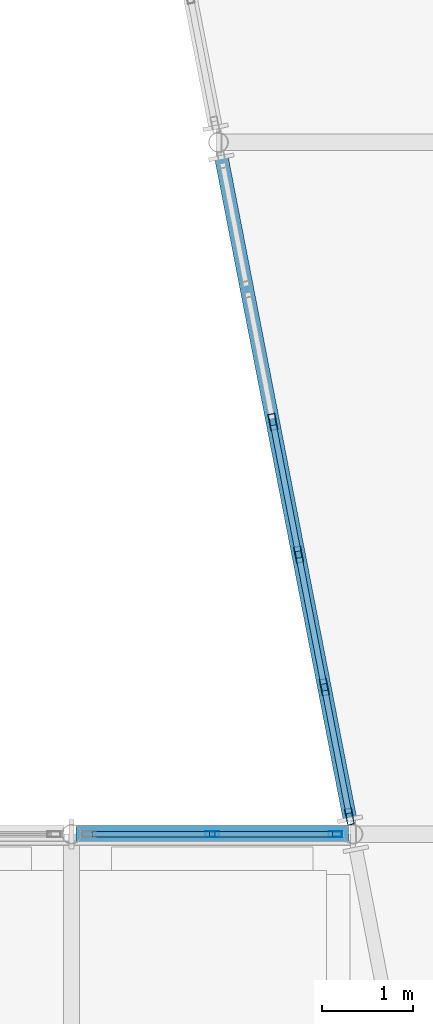
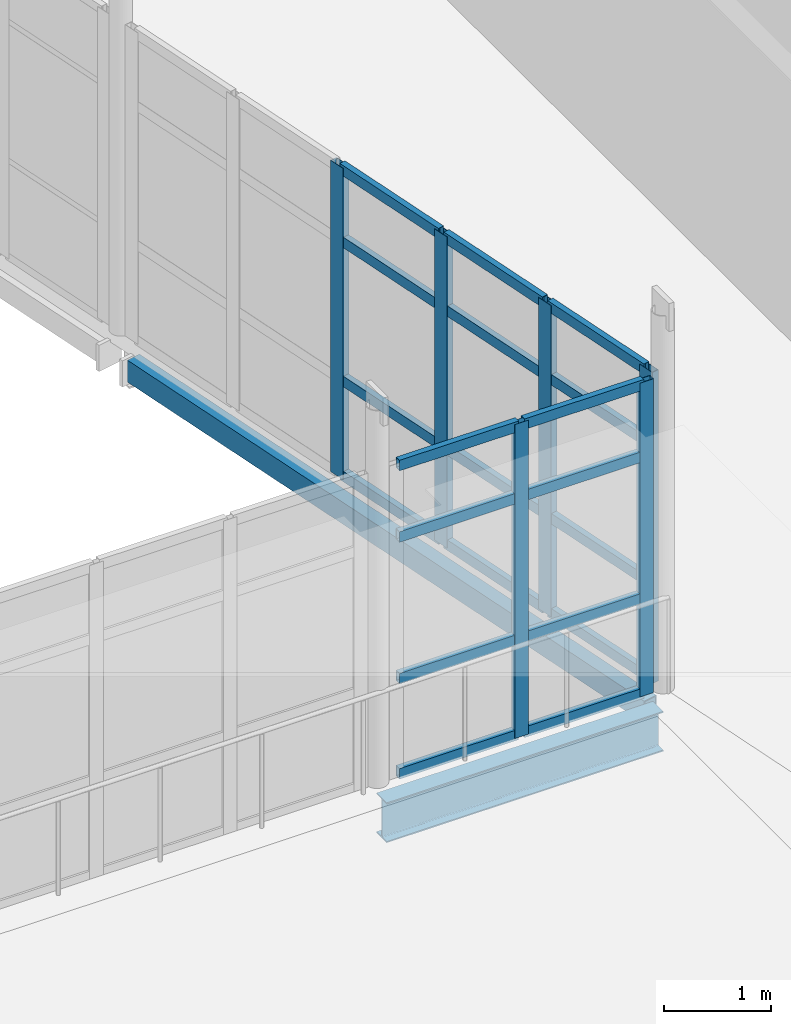
# One storey, part 92 of 166: 26 members, 2 beams, 2 elements without a shape of their own.
"""IFC4 building model written with IfcOpenShell, lengths in metres."""

from ifc_helpers import new_model, si_unit, direction, frame, origin, origin_2d, place, context, subcontext, project, spatial, hollow_rectangle, i_section, extrude, material, material_profile, profile_set, type_object, element, aggregate, save


model = new_model("IFC4")

# Units and contexts
model_context = context("Model", 3, precision=1e-05, world=origin(), true_north=direction((0.0, 1.0)))
body_context = subcontext(model_context, "Body", "Model", "MODEL_VIEW")
ifc_project = project(units=[si_unit("LENGTHUNIT", "METRE"), si_unit("AREAUNIT", "SQUARE_METRE"), si_unit("VOLUMEUNIT", "CUBIC_METRE"), si_unit("PLANEANGLEUNIT", "RADIAN"), si_unit("MASSUNIT", "GRAM", prefix="KILO")], contexts=[model_context])

# Site, building, storey
site_placement = place(None, origin())
site = spatial("IfcSite", under=ifc_project, at=site_placement, CompositionType="ELEMENT")
building_placement = place(site_placement, origin())
building = spatial("IfcBuilding", under=site, at=building_placement, Name="Caisbarro Railhouse Central Library", CompositionType="ELEMENT")
storey_placement = place(building_placement, frame((0.0, 0.0, 9.360107421875)))
storey = spatial("IfcBuildingStorey", under=building, at=storey_placement, Name="L02", CompositionType="ELEMENT", Elevation=9.360107421875)

# Beams
ifc_material_1 = material(Name="Steel ASTM A572 Grade 50", Category="steel")
ifc_material_profile_1 = material_profile(ifc_material_1, i_section(OverallWidth=0.18994140625, OverallDepth=0.45703125, WebThickness=0.009033203125, FlangeThickness=0.014404296875, FilletRadius=0.01806640625, at=origin_2d()), Name="W460X74.0")
ifc_profile_set_1 = profile_set([ifc_material_profile_1], Name="Steel ASTM A572 Grade 50")
beam_type_1 = type_object("IfcBeamType", Name="BM-G08", PredefinedType="BEAM", material=ifc_profile_set_1)
beam_1_placement = place(storey_placement, frame((108.050048828125, 91.199951171875, -0.4287109375), z_axis=(1.0, 0.0, 0.0), x_axis=(0.0, 1.0, 0.0)))
element("IfcBeam", 1, at=beam_1_placement, inside=storey, type_object=beam_type_1, Name="G08 beam L02 #1754", PredefinedType="BEAM", context=body_context, shape_type="SweptSolid", body=[
    extrude(i_section(OverallWidth=0.18994140625, OverallDepth=0.45703125, WebThickness=0.009033203125, FlangeThickness=0.014404296875, FilletRadius=0.01806640625, at=origin_2d()), origin(), (0.0, 0.0, 1.0), 2.990966796875),
])
ifc_material_profile_2 = material_profile(ifc_material_1, hollow_rectangle(XDim=0.14990234375, YDim=0.25, WallThickness=0.010009765625, at=origin_2d()), Name="HSS250X150X10")
ifc_profile_set_2 = profile_set([ifc_material_profile_2], Name="Steel ASTM A572 Grade 50")
beam_type_2 = type_object("IfcBeamType", Name="BM-SP03", PredefinedType="SPANDREL", material=ifc_profile_set_2)
beam_2_placement = place(storey_placement, frame((111.056640625, 91.376708984375, -0.34521484375), z_axis=(-0.1907899916, 0.981630877217, 0.0), x_axis=(-0.981630877217, -0.1907899916, 0.0)))
element("IfcBeam", 2, at=beam_2_placement, inside=storey, type_object=beam_type_2, Name="SP03 beam L02 #1746", PredefinedType="SPANDREL", context=body_context, shape_type="SweptSolid", body=[
    extrude(hollow_rectangle(XDim=0.14990234375, YDim=0.25, WallThickness=0.010009765625, at=origin_2d()), origin(), (0.0, 0.0, 1.0), 7.382080078125),
])

# Curtain wall, members
ifc_material_2 = material(Name="Anodised architectural aluminium", Category="aluminium")
curtain_wall_type_1 = type_object("IfcCurtainWallType", Name="CW-CW02", PredefinedType="NOTDEFINED", material=ifc_material_2)
curtain_wall_1_placement = place(storey_placement, origin())
curtain_wall_1 = element("IfcCurtainWall", 3, at=curtain_wall_1_placement, inside=storey, type_object=curtain_wall_type_1, Name="CW02 curtain wall L02 #129", PredefinedType="NOTDEFINED")
ifc_material_profile_3 = material_profile(ifc_material_2, hollow_rectangle(XDim=0.074951171875, YDim=0.179931640625, WallThickness=0.00439453125, at=origin_2d()), Name="ALU-MUL-75X180")
ifc_profile_set_3 = profile_set([ifc_material_profile_3], Name="Anodised architectural aluminium")
member_type_1 = type_object("IfcMemberType", Name="CWM-M01", PredefinedType="MULLION", material=ifc_profile_set_3)
member_1_placement = place(storey_placement, frame((111.053466796875, 91.393798828125, 0.0), z_axis=(0.0, 0.0, 1.0), x_axis=(-0.981632635401, -0.190780945369, 0.0)))
member_1 = element("IfcMember", 4, at=member_1_placement, type_object=member_type_1, Name="CW02 mullion 1", PredefinedType="MULLION", context=body_context, shape_type="SweptSolid", body=[
    extrude(hollow_rectangle(XDim=0.074951171875, YDim=0.179931640625, WallThickness=0.00439453125, at=origin_2d()), origin(), (0.0, 0.0, 1.0), 3.559814453125),
])
member_2_placement = place(storey_placement, frame((110.77734375, 92.814208984375, 0.0), z_axis=(0.0, 0.0, 1.0), x_axis=(-0.981632635401, -0.190780945369, 0.0)))
member_2 = element("IfcMember", 5, at=member_2_placement, type_object=member_type_1, Name="CW02 mullion 2", PredefinedType="MULLION", context=body_context, shape_type="SweptSolid", body=[
    extrude(hollow_rectangle(XDim=0.074951171875, YDim=0.179931640625, WallThickness=0.00439453125, at=origin_2d()), origin(), (0.0, 0.0, 1.0), 3.559814453125),
])
member_3_placement = place(storey_placement, frame((110.494140625, 94.271484375, 0.0), z_axis=(0.0, 0.0, 1.0), x_axis=(-0.981632635401, -0.190780945369, 0.0)))
member_3 = element("IfcMember", 6, at=member_3_placement, type_object=member_type_1, Name="CW02 mullion 3", PredefinedType="MULLION", context=body_context, shape_type="SweptSolid", body=[
    extrude(hollow_rectangle(XDim=0.074951171875, YDim=0.179931640625, WallThickness=0.00439453125, at=origin_2d()), origin(), (0.0, 0.0, 1.0), 3.559814453125),
])
member_4_placement = place(storey_placement, frame((110.2109375, 95.728515625, 0.0), z_axis=(0.0, 0.0, 1.0), x_axis=(-0.981632635401, -0.190780945369, 0.0)))
member_4 = element("IfcMember", 7, at=member_4_placement, type_object=member_type_1, Name="CW02 mullion 4", PredefinedType="MULLION", context=body_context, shape_type="SweptSolid", body=[
    extrude(hollow_rectangle(XDim=0.074951171875, YDim=0.179931640625, WallThickness=0.00439453125, at=origin_2d()), origin(), (0.0, 0.0, 1.0), 3.559814453125),
])

curtain_wall_type_2 = type_object("IfcCurtainWallType", Name="CW-CW03", PredefinedType="NOTDEFINED", material=ifc_material_2)
curtain_wall_2_placement = place(storey_placement, origin())
curtain_wall_2 = element("IfcCurtainWall", 8, at=curtain_wall_2_placement, inside=storey, type_object=curtain_wall_type_2, Name="CW03 curtain wall L02 #211", PredefinedType="NOTDEFINED")
ifc_material_profile_4 = material_profile(ifc_material_2, hollow_rectangle(XDim=0.06494140625, YDim=0.14990234375, WallThickness=0.00390625, at=origin_2d()), Name="ALU-MUL-65X150")
ifc_profile_set_4 = profile_set([ifc_material_profile_4], Name="Anodised architectural aluminium")
member_type_2 = type_object("IfcMemberType", Name="CWM-M02", PredefinedType="MULLION", material=ifc_profile_set_4)
member_5_placement = place(storey_placement, frame((109.54541015625, 91.199951171875, 0.0), z_axis=(0.0, 0.0, 1.0), x_axis=(0.0, 1.0, 0.0)))
member_5 = element("IfcMember", 9, at=member_5_placement, type_object=member_type_2, Name="CW03 mullion 2", PredefinedType="MULLION", context=body_context, shape_type="SweptSolid", body=[
    extrude(hollow_rectangle(XDim=0.06494140625, YDim=0.14990234375, WallThickness=0.00390625, at=origin_2d()), origin(), (0.0, 0.0, 1.0), 3.58984375),
])
member_6_placement = place(storey_placement, frame((110.8984375, 91.199951171875, 0.0), z_axis=(0.0, 0.0, 1.0), x_axis=(0.0, 1.0, 0.0)))
member_6 = element("IfcMember", 10, at=member_6_placement, type_object=member_type_2, Name="CW03 mullion 3", PredefinedType="MULLION", context=body_context, shape_type="SweptSolid", body=[
    extrude(hollow_rectangle(XDim=0.06494140625, YDim=0.14990234375, WallThickness=0.00390625, at=origin_2d()), origin(), (0.0, 0.0, 1.0), 3.58984375),
])

# Member
ifc_material_profile_5 = material_profile(ifc_material_2, hollow_rectangle(XDim=0.06494140625, YDim=0.1201171875, WallThickness=0.00341796875, at=origin_2d()), Name="ALU-TRN-65X120")
ifc_profile_set_5 = profile_set([ifc_material_profile_5], Name="Anodised architectural aluminium")
member_type_3 = type_object("IfcMemberType", Name="CWT-T02", PredefinedType="USERDEFINED", material=ifc_profile_set_5)
member_7_placement = place(storey_placement, frame((111.046142578125, 91.4306640625, 0.032470703125), z_axis=(-0.190774392735, 0.981633908887, 0.0), x_axis=(-0.981633908887, -0.190774392735, 0.0)))
member_7 = element("IfcMember", 11, at=member_7_placement, type_object=member_type_3, Name="CW02 transom 1.1", ObjectType="TRANSOM", PredefinedType="USERDEFINED", context=body_context, shape_type="SweptSolid", body=[
    extrude(hollow_rectangle(XDim=0.06494140625, YDim=0.1201171875, WallThickness=0.00341796875, at=origin_2d()), origin(), (0.0, 0.0, 1.0), 1.371826171875),
])

member_8_placement = place(storey_placement, frame((111.046142578125, 91.4306640625, 1.119873046875), z_axis=(-0.190774392735, 0.981633908887, 0.0), x_axis=(-0.981633908887, -0.190774392735, 0.0)))
member_8 = element("IfcMember", 12, at=member_8_placement, type_object=member_type_3, Name="CW02 transom 1.2", ObjectType="TRANSOM", PredefinedType="USERDEFINED", context=body_context, shape_type="SweptSolid", body=[
    extrude(hollow_rectangle(XDim=0.06494140625, YDim=0.1201171875, WallThickness=0.00341796875, at=origin_2d()), origin(), (0.0, 0.0, 1.0), 1.371826171875),
])

member_9_placement = place(storey_placement, frame((111.046142578125, 91.4306640625, 2.7099609375), z_axis=(-0.190774392735, 0.981633908887, 0.0), x_axis=(-0.981633908887, -0.190774392735, 0.0)))
member_9 = element("IfcMember", 13, at=member_9_placement, type_object=member_type_3, Name="CW02 transom 1.3", ObjectType="TRANSOM", PredefinedType="USERDEFINED", context=body_context, shape_type="SweptSolid", body=[
    extrude(hollow_rectangle(XDim=0.06494140625, YDim=0.1201171875, WallThickness=0.00341796875, at=origin_2d()), origin(), (0.0, 0.0, 1.0), 1.371826171875),
])

member_10_placement = place(storey_placement, frame((111.046142578125, 91.4306640625, 3.52734375), z_axis=(-0.190774392735, 0.981633908887, 0.0), x_axis=(-0.981633908887, -0.190774392735, 0.0)))
member_10 = element("IfcMember", 14, at=member_10_placement, type_object=member_type_3, Name="CW02 transom 1.4", ObjectType="TRANSOM", PredefinedType="USERDEFINED", context=body_context, shape_type="SweptSolid", body=[
    extrude(hollow_rectangle(XDim=0.06494140625, YDim=0.1201171875, WallThickness=0.00341796875, at=origin_2d()), origin(), (0.0, 0.0, 1.0), 1.371826171875),
])

member_11_placement = place(storey_placement, frame((110.770263671875, 92.85107421875, 0.032470703125), z_axis=(-0.190883567843, 0.981612685089, 0.0), x_axis=(-0.981612685089, -0.190883567843, 0.0)))
member_11 = element("IfcMember", 15, at=member_11_placement, type_object=member_type_3, Name="CW02 transom 2.1", ObjectType="TRANSOM", PredefinedType="USERDEFINED", context=body_context, shape_type="SweptSolid", body=[
    extrude(hollow_rectangle(XDim=0.06494140625, YDim=0.1201171875, WallThickness=0.00341796875, at=origin_2d()), origin(), (0.0, 0.0, 1.0), 1.409423828125),
])

member_12_placement = place(storey_placement, frame((110.770263671875, 92.85107421875, 1.119873046875), z_axis=(-0.190883567843, 0.981612685089, 0.0), x_axis=(-0.981612685089, -0.190883567843, 0.0)))
member_12 = element("IfcMember", 16, at=member_12_placement, type_object=member_type_3, Name="CW02 transom 2.2", ObjectType="TRANSOM", PredefinedType="USERDEFINED", context=body_context, shape_type="SweptSolid", body=[
    extrude(hollow_rectangle(XDim=0.06494140625, YDim=0.1201171875, WallThickness=0.00341796875, at=origin_2d()), origin(), (0.0, 0.0, 1.0), 1.409423828125),
])

member_13_placement = place(storey_placement, frame((110.770263671875, 92.85107421875, 2.7099609375), z_axis=(-0.190883567843, 0.981612685089, 0.0), x_axis=(-0.981612685089, -0.190883567843, 0.0)))
member_13 = element("IfcMember", 17, at=member_13_placement, type_object=member_type_3, Name="CW02 transom 2.3", ObjectType="TRANSOM", PredefinedType="USERDEFINED", context=body_context, shape_type="SweptSolid", body=[
    extrude(hollow_rectangle(XDim=0.06494140625, YDim=0.1201171875, WallThickness=0.00341796875, at=origin_2d()), origin(), (0.0, 0.0, 1.0), 1.409423828125),
])

member_14_placement = place(storey_placement, frame((110.770263671875, 92.85107421875, 3.52734375), z_axis=(-0.190883567843, 0.981612685089, 0.0), x_axis=(-0.981612685089, -0.190883567843, 0.0)))
member_14 = element("IfcMember", 18, at=member_14_placement, type_object=member_type_3, Name="CW02 transom 2.4", ObjectType="TRANSOM", PredefinedType="USERDEFINED", context=body_context, shape_type="SweptSolid", body=[
    extrude(hollow_rectangle(XDim=0.06494140625, YDim=0.1201171875, WallThickness=0.00341796875, at=origin_2d()), origin(), (0.0, 0.0, 1.0), 1.409423828125),
])

member_15_placement = place(storey_placement, frame((110.487060546875, 94.308349609375, 0.032470703125), z_axis=(-0.190916029308, 0.981606372103, 0.0), x_axis=(-0.981606372103, -0.190916029308, 0.0)))
member_15 = element("IfcMember", 19, at=member_15_placement, type_object=member_type_3, Name="CW02 transom 3.1", ObjectType="TRANSOM", PredefinedType="USERDEFINED", context=body_context, shape_type="SweptSolid", body=[
    extrude(hollow_rectangle(XDim=0.06494140625, YDim=0.1201171875, WallThickness=0.00341796875, at=origin_2d()), origin(), (0.0, 0.0, 1.0), 1.4091796875),
])

member_16_placement = place(storey_placement, frame((110.487060546875, 94.308349609375, 1.119873046875), z_axis=(-0.190916029308, 0.981606372103, 0.0), x_axis=(-0.981606372103, -0.190916029308, 0.0)))
member_16 = element("IfcMember", 20, at=member_16_placement, type_object=member_type_3, Name="CW02 transom 3.2", ObjectType="TRANSOM", PredefinedType="USERDEFINED", context=body_context, shape_type="SweptSolid", body=[
    extrude(hollow_rectangle(XDim=0.06494140625, YDim=0.1201171875, WallThickness=0.00341796875, at=origin_2d()), origin(), (0.0, 0.0, 1.0), 1.4091796875),
])

member_17_placement = place(storey_placement, frame((110.487060546875, 94.308349609375, 2.7099609375), z_axis=(-0.190916029308, 0.981606372103, 0.0), x_axis=(-0.981606372103, -0.190916029308, 0.0)))
member_17 = element("IfcMember", 21, at=member_17_placement, type_object=member_type_3, Name="CW02 transom 3.3", ObjectType="TRANSOM", PredefinedType="USERDEFINED", context=body_context, shape_type="SweptSolid", body=[
    extrude(hollow_rectangle(XDim=0.06494140625, YDim=0.1201171875, WallThickness=0.00341796875, at=origin_2d()), origin(), (0.0, 0.0, 1.0), 1.4091796875),
])

member_18_placement = place(storey_placement, frame((110.487060546875, 94.308349609375, 3.52734375), z_axis=(-0.190916029308, 0.981606372103, 0.0), x_axis=(-0.981606372103, -0.190916029308, 0.0)))
member_18 = element("IfcMember", 22, at=member_18_placement, type_object=member_type_3, Name="CW02 transom 3.4", ObjectType="TRANSOM", PredefinedType="USERDEFINED", context=body_context, shape_type="SweptSolid", body=[
    extrude(hollow_rectangle(XDim=0.06494140625, YDim=0.1201171875, WallThickness=0.00341796875, at=origin_2d()), origin(), (0.0, 0.0, 1.0), 1.4091796875),
])

aggregate(curtain_wall_1, [member_1, member_2, member_3, member_4, member_7, member_8, member_9, member_10, member_11, member_12, member_13, member_14, member_15, member_16, member_17, member_18])

member_19_placement = place(storey_placement, frame((108.22509765625, 91.199951171875, 0.032470703125), z_axis=(1.0, 0.0, 0.0), x_axis=(0.0, 1.0, 0.0)))
member_19 = element("IfcMember", 23, at=member_19_placement, type_object=member_type_3, Name="CW03 transom 1.1", ObjectType="TRANSOM", PredefinedType="USERDEFINED", context=body_context, shape_type="SweptSolid", body=[
    extrude(hollow_rectangle(XDim=0.06494140625, YDim=0.1201171875, WallThickness=0.00341796875, at=origin_2d()), origin(), (0.0, 0.0, 1.0), 1.287841796875),
])

member_20_placement = place(storey_placement, frame((108.22509765625, 91.199951171875, 1.119873046875), z_axis=(1.0, 0.0, 0.0), x_axis=(0.0, 1.0, 0.0)))
member_20 = element("IfcMember", 24, at=member_20_placement, type_object=member_type_3, Name="CW03 transom 1.2", ObjectType="TRANSOM", PredefinedType="USERDEFINED", context=body_context, shape_type="SweptSolid", body=[
    extrude(hollow_rectangle(XDim=0.06494140625, YDim=0.1201171875, WallThickness=0.00341796875, at=origin_2d()), origin(), (0.0, 0.0, 1.0), 1.287841796875),
])

member_21_placement = place(storey_placement, frame((108.22509765625, 91.199951171875, 2.739990234375), z_axis=(1.0, 0.0, 0.0), x_axis=(0.0, 1.0, 0.0)))
member_21 = element("IfcMember", 25, at=member_21_placement, type_object=member_type_3, Name="CW03 transom 1.3", ObjectType="TRANSOM", PredefinedType="USERDEFINED", context=body_context, shape_type="SweptSolid", body=[
    extrude(hollow_rectangle(XDim=0.06494140625, YDim=0.1201171875, WallThickness=0.00341796875, at=origin_2d()), origin(), (0.0, 0.0, 1.0), 1.287841796875),
])

member_22_placement = place(storey_placement, frame((108.22509765625, 91.199951171875, 3.557373046875), z_axis=(1.0, 0.0, 0.0), x_axis=(0.0, 1.0, 0.0)))
member_22 = element("IfcMember", 26, at=member_22_placement, type_object=member_type_3, Name="CW03 transom 1.4", ObjectType="TRANSOM", PredefinedType="USERDEFINED", context=body_context, shape_type="SweptSolid", body=[
    extrude(hollow_rectangle(XDim=0.06494140625, YDim=0.1201171875, WallThickness=0.00341796875, at=origin_2d()), origin(), (0.0, 0.0, 1.0), 1.287841796875),
])

member_23_placement = place(storey_placement, frame((109.577880859375, 91.199951171875, 0.032470703125), z_axis=(1.0, 0.0, 0.0), x_axis=(0.0, 1.0, 0.0)))
member_23 = element("IfcMember", 27, at=member_23_placement, type_object=member_type_3, Name="CW03 transom 2.1", ObjectType="TRANSOM", PredefinedType="USERDEFINED", context=body_context, shape_type="SweptSolid", body=[
    extrude(hollow_rectangle(XDim=0.06494140625, YDim=0.1201171875, WallThickness=0.00341796875, at=origin_2d()), origin(), (0.0, 0.0, 1.0), 1.2880859375),
])

member_24_placement = place(storey_placement, frame((109.577880859375, 91.199951171875, 1.119873046875), z_axis=(1.0, 0.0, 0.0), x_axis=(0.0, 1.0, 0.0)))
member_24 = element("IfcMember", 28, at=member_24_placement, type_object=member_type_3, Name="CW03 transom 2.2", ObjectType="TRANSOM", PredefinedType="USERDEFINED", context=body_context, shape_type="SweptSolid", body=[
    extrude(hollow_rectangle(XDim=0.06494140625, YDim=0.1201171875, WallThickness=0.00341796875, at=origin_2d()), origin(), (0.0, 0.0, 1.0), 1.2880859375),
])

member_25_placement = place(storey_placement, frame((109.577880859375, 91.199951171875, 2.739990234375), z_axis=(1.0, 0.0, 0.0), x_axis=(0.0, 1.0, 0.0)))
member_25 = element("IfcMember", 29, at=member_25_placement, type_object=member_type_3, Name="CW03 transom 2.3", ObjectType="TRANSOM", PredefinedType="USERDEFINED", context=body_context, shape_type="SweptSolid", body=[
    extrude(hollow_rectangle(XDim=0.06494140625, YDim=0.1201171875, WallThickness=0.00341796875, at=origin_2d()), origin(), (0.0, 0.0, 1.0), 1.2880859375),
])

member_26_placement = place(storey_placement, frame((109.577880859375, 91.199951171875, 3.557373046875), z_axis=(1.0, 0.0, 0.0), x_axis=(0.0, 1.0, 0.0)))
member_26 = element("IfcMember", 30, at=member_26_placement, type_object=member_type_3, Name="CW03 transom 2.4", ObjectType="TRANSOM", PredefinedType="USERDEFINED", context=body_context, shape_type="SweptSolid", body=[
    extrude(hollow_rectangle(XDim=0.06494140625, YDim=0.1201171875, WallThickness=0.00341796875, at=origin_2d()), origin(), (0.0, 0.0, 1.0), 1.2880859375),
])

aggregate(curtain_wall_2, [member_5, member_6, member_19, member_20, member_21, member_22, member_23, member_24, member_25, member_26])

save(model, "model.ifc")
